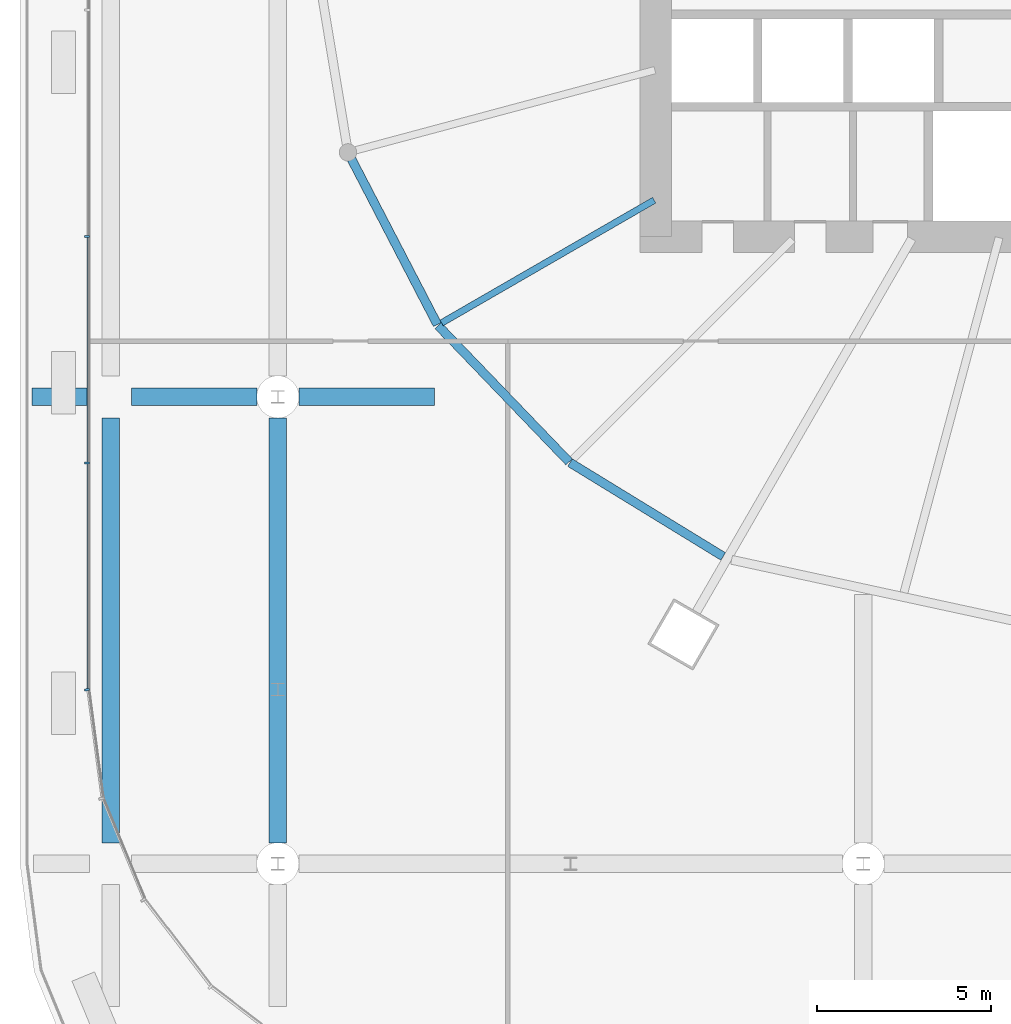
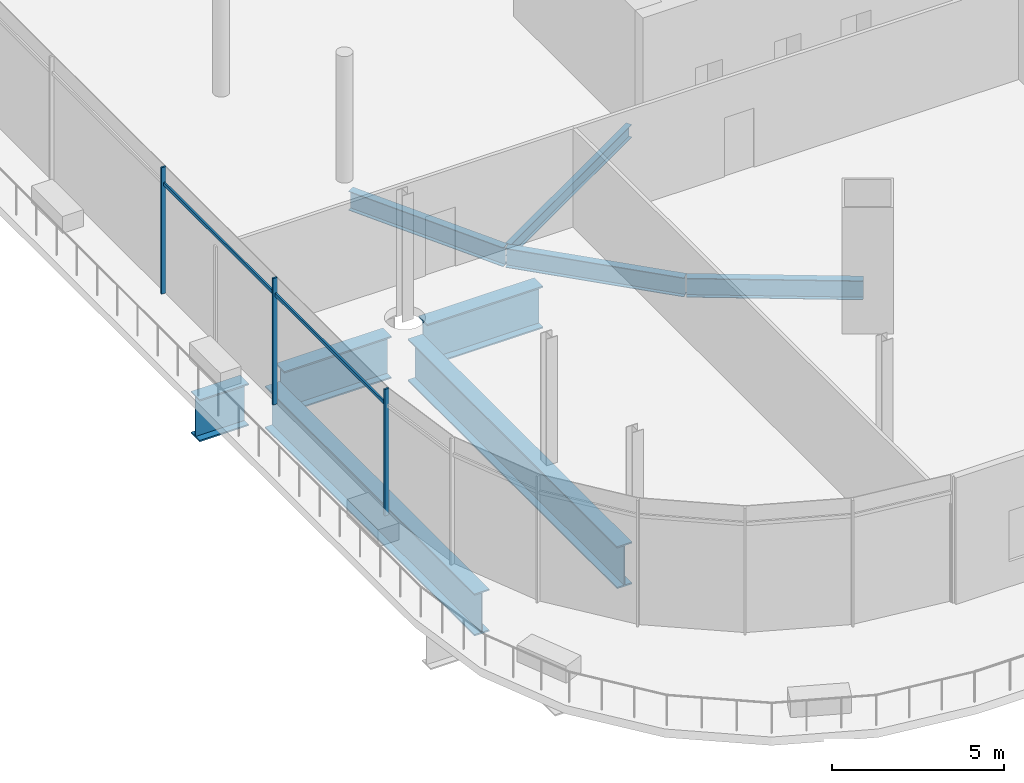
# One storey, part 13 of 56: 9 beams, 5 members, 1 element without a shape of its own.
"""IFC4 building model written with IfcOpenShell, lengths in metres."""

from ifc_helpers import new_model, si_unit, direction, frame, origin, origin_2d, place, context, subcontext, project, spatial, rectangle, i_section, extrude, material, material_profile, profile_set, type_object, element, aggregate, save


model = new_model("IFC4")

# Units and contexts
model_context = context("Model", 3, precision=1e-05, world=origin(), true_north=direction((0.0, 1.0)))
body_context = subcontext(model_context, "Body", "Model", "MODEL_VIEW")
ifc_project = project(units=[si_unit("LENGTHUNIT", "METRE"), si_unit("AREAUNIT", "SQUARE_METRE"), si_unit("VOLUMEUNIT", "CUBIC_METRE"), si_unit("PLANEANGLEUNIT", "RADIAN"), si_unit("MASSUNIT", "GRAM", prefix="KILO")], contexts=[model_context])

# Site, building, storey
site_placement = place(None, origin())
site = spatial("IfcSite", under=ifc_project, at=site_placement, CompositionType="ELEMENT")
building_placement = place(site_placement, origin())
building = spatial("IfcBuilding", under=site, at=building_placement, Name="Rimbun Link Towers", CompositionType="ELEMENT")
storey_placement = place(building_placement, frame((0.0, 0.0, 16.5)))
storey = spatial("IfcBuildingStorey", under=building, at=storey_placement, Name="L03", CompositionType="ELEMENT", Elevation=16.5)

# Curtain wall, members
ifc_material_1 = material(Name="Aluminium 6063-T6 and low-iron glass", Category="aluminium")
curtain_wall_type = type_object("IfcCurtainWallType", Name="CW3 podium shopfront", PredefinedType="NOTDEFINED", material=ifc_material_1)
curtain_wall_placement = place(storey_placement, origin())
curtain_wall = element("IfcCurtainWall", 1, at=curtain_wall_placement, inside=storey, type_object=curtain_wall_type, Name="CW3 L03 PD", PredefinedType="NOTDEFINED")
ifc_material_2 = material(Name="Aluminium 6063-T6", Category="aluminium")
ifc_material_profile_1 = material_profile(ifc_material_2, rectangle(XDim=0.14990234375, YDim=0.06005859375, at=origin_2d()), Name="MULLION 60X150")
ifc_profile_set_1 = profile_set([ifc_material_profile_1], Name="Aluminium 6063-T6")
member_type_1 = type_object("IfcMemberType", Name="CW3 mullion 60X150", PredefinedType="MULLION", material=ifc_profile_set_1)
member_1_placement = place(storey_placement, frame((-60.074951171875, -8.0, 0.0), z_axis=(0.0, 0.0, 1.0), x_axis=(-1.0, 0.0, 0.0)))
member_1 = element("IfcMember", 2, at=member_1_placement, type_object=member_type_1, Name="CW3 mullion", PredefinedType="MULLION", context=body_context, shape_type="SweptSolid", body=[
    extrude(rectangle(XDim=0.14990234375, YDim=0.06005859375, at=origin_2d()), origin(), (0.0, 0.0, 1.0), 4.5),
])
member_2_placement = place(storey_placement, frame((-60.074951171875, -14.5, 0.0), z_axis=(0.0, 0.0, 1.0), x_axis=(-1.0, 0.0, 0.0)))
member_2 = element("IfcMember", 3, at=member_2_placement, type_object=member_type_1, Name="CW3 mullion", PredefinedType="MULLION", context=body_context, shape_type="SweptSolid", body=[
    extrude(rectangle(XDim=0.14990234375, YDim=0.06005859375, at=origin_2d()), origin(), (0.0, 0.0, 1.0), 4.5),
])
member_3_placement = place(storey_placement, frame((-60.074951171875, -21.0048828125, 0.0), z_axis=(0.0, 0.0, 1.0), x_axis=(-0.997858781723, -0.065405288299, 0.0)))
member_3 = element("IfcMember", 4, at=member_3_placement, type_object=member_type_1, Name="CW3 mullion", PredefinedType="MULLION", context=body_context, shape_type="SweptSolid", body=[
    extrude(rectangle(XDim=0.14990234375, YDim=0.06005859375, at=origin_2d()), origin(), (0.0, 0.0, 1.0), 4.5),
])
ifc_material_3 = material(Name="Aluminium 6063-T6", Category="aluminium")
ifc_material_profile_2 = material_profile(ifc_material_3, rectangle(XDim=0.06005859375, YDim=0.1201171875, at=origin_2d()), Name="TRANSOM 60X120")
ifc_profile_set_2 = profile_set([ifc_material_profile_2], Name="Aluminium 6063-T6")
member_type_2 = type_object("IfcMemberType", Name="CW3 transom 60X120", PredefinedType="USERDEFINED", material=ifc_profile_set_2)
member_4_placement = place(storey_placement, frame((-60.053955078125, -14.469970703125, 3.89990234375), z_axis=(0.0, 1.0, 0.0), x_axis=(-1.0, 0.0, 0.0)))
member_4 = element("IfcMember", 5, at=member_4_placement, type_object=member_type_2, Name="CW3 transom", ObjectType="TRANSOM", PredefinedType="USERDEFINED", context=body_context, shape_type="SweptSolid", body=[
    extrude(rectangle(XDim=0.06005859375, YDim=0.1201171875, at=origin_2d()), origin(), (0.0, 0.0, 1.0), 6.43994140625),
])
member_5_placement = place(storey_placement, frame((-60.053955078125, -20.969970703125, 3.89990234375), z_axis=(0.0, 1.0, 0.0), x_axis=(-1.0, 0.0, 0.0)))
member_5 = element("IfcMember", 6, at=member_5_placement, type_object=member_type_2, Name="CW3 transom", ObjectType="TRANSOM", PredefinedType="USERDEFINED", context=body_context, shape_type="SweptSolid", body=[
    extrude(rectangle(XDim=0.06005859375, YDim=0.1201171875, at=origin_2d()), origin(), (0.0, 0.0, 1.0), 6.43994140625),
])
aggregate(curtain_wall, [member_1, member_2, member_3, member_4, member_5])

# Beams
ifc_material_4 = material(Name="Steel S355J2", Category="steel")
ifc_material_profile_3 = material_profile(ifc_material_4, i_section(OverallWidth=0.5, OverallDepth=1.5, WebThickness=0.030029296875, FlangeThickness=0.050048828125, at=origin_2d()), Name="PG 1500x500x30/50")
ifc_profile_set_3 = profile_set([ifc_material_profile_3], Name="Steel S355J2")
beam_type_1 = type_object("IfcBeamType", Name="PG 1500x500x30/50", PredefinedType="BEAM", material=ifc_profile_set_3)
beam_1_placement = place(storey_placement, frame((-61.649169921875, -12.60009765625, -1.050048828125), z_axis=(1.0, 0.0, 0.0), x_axis=(0.0, 1.0, 0.0)))
element("IfcBeam", 7, at=beam_1_placement, inside=storey, type_object=beam_type_1, Name="Grid beam L03 -12.6", PredefinedType="BEAM", context=body_context, shape_type="SweptSolid", body=[
    extrude(i_section(OverallWidth=0.5, OverallDepth=1.5, WebThickness=0.030029296875, FlangeThickness=0.050048828125, at=origin_2d()), origin(), (0.0, 0.0, 1.0), 1.649169921875),
])
beam_2_placement = place(storey_placement, frame((-58.800048828125, -12.60009765625, -1.050048828125), z_axis=(1.0, 0.0, 0.0), x_axis=(0.0, 1.0, 0.0)))
element("IfcBeam", 8, at=beam_2_placement, inside=storey, type_object=beam_type_1, Name="Grid beam L03 -12.6", PredefinedType="BEAM", context=body_context, shape_type="SweptSolid", body=[
    extrude(i_section(OverallWidth=0.5, OverallDepth=1.5, WebThickness=0.030029296875, FlangeThickness=0.050048828125, at=origin_2d()), origin(), (0.0, 0.0, 1.0), 3.60009765625),
])
beam_3_placement = place(storey_placement, frame((-54.0, -12.60009765625, -1.050048828125), z_axis=(1.0, 0.0, 0.0), x_axis=(0.0, 1.0, 0.0)))
element("IfcBeam", 9, at=beam_3_placement, inside=storey, type_object=beam_type_1, Name="Grid beam L03 -12.6", PredefinedType="BEAM", context=body_context, shape_type="SweptSolid", body=[
    extrude(i_section(OverallWidth=0.5, OverallDepth=1.5, WebThickness=0.030029296875, FlangeThickness=0.050048828125, at=origin_2d()), origin(), (0.0, 0.0, 1.0), 3.89990234375),
])
for number, where, z_axis, x_axis, name in (
    (10, (-59.39990234375, -25.39990234375, -1.050048828125), (0.0, 1.0, 0.0), (-1.0, 0.0, 0.0), "Grid beam L03 -59.4"),
    (11, (-54.60009765625, -25.39990234375, -1.050048828125), (0.0, 1.0, 0.0), (-1.0, 0.0, 0.0), "Grid beam L03 -54.6"),
):
    element("IfcBeam", number, at=place(storey_placement, frame(where, z_axis=z_axis, x_axis=x_axis)), inside=storey, type_object=beam_type_1, Name=name, PredefinedType="BEAM", context=body_context, shape_type="SweptSolid", body=[
        extrude(i_section(OverallWidth=0.5, OverallDepth=1.5, WebThickness=0.030029296875, FlangeThickness=0.050048828125, at=origin_2d()), origin(), (0.0, 0.0, 1.0), 12.199951171875),
    ])
ifc_material_5 = material(Name="Steel S355J2", Category="steel")
ifc_material_profile_4 = material_profile(ifc_material_5, i_section(OverallWidth=0.18994140625, OverallDepth=0.453369140625, WebThickness=0.008544921875, FlangeThickness=0.0126953125, at=origin_2d()), Name="UB 457x191x67")
ifc_profile_set_4 = profile_set([ifc_material_profile_4], Name="Steel S355J2")
beam_type_2 = type_object("IfcBeamType", Name="UB 457x191x67", PredefinedType="BEAM", material=ifc_profile_set_4)
beam_4_placement = place(storey_placement, frame((-43.79833984375, -6.9560546875, -0.526611328125), z_axis=(-0.866023453068, -0.500003378725, 0.0), x_axis=(0.500003378725, -0.866023453068, 0.0)))
element("IfcBeam", 12, at=beam_4_placement, inside=storey, type_object=beam_type_2, Name="Radial beam T1 L03 14", PredefinedType="BEAM", context=body_context, shape_type="SweptSolid", body=[
    extrude(i_section(OverallWidth=0.18994140625, OverallDepth=0.453369140625, WebThickness=0.008544921875, FlangeThickness=0.0126953125, at=origin_2d()), origin(), (0.0, 0.0, 1.0), 7.04638671875),
])
ifc_material_6 = material(Name="Steel S355J2", Category="steel")
ifc_material_profile_5 = material_profile(ifc_material_6, i_section(OverallWidth=0.253662109375, OverallDepth=0.68359375, WebThickness=0.012451171875, FlangeThickness=0.01904296875, at=origin_2d()), Name="UB 686x254x140")
ifc_profile_set_5 = profile_set([ifc_material_profile_5], Name="Steel S355J2")
beam_type_3 = type_object("IfcBeamType", Name="UB 686x254x140", PredefinedType="BEAM", material=ifc_profile_set_5)
beam_5_placement = place(storey_placement, frame((-52.485107421875, -5.77880859375, -0.641845703125), z_axis=(0.460708800711, -0.887551351161, 0.0), x_axis=(0.887551351161, 0.460708800711, 0.0)))
element("IfcBeam", 13, at=beam_5_placement, inside=storey, type_object=beam_type_3, Name="Edge beam T1 L03 13", PredefinedType="BEAM", context=body_context, shape_type="SweptSolid", body=[
    extrude(i_section(OverallWidth=0.253662109375, OverallDepth=0.68359375, WebThickness=0.012451171875, FlangeThickness=0.01904296875, at=origin_2d()), origin(), (0.0, 0.0, 1.0), 5.34912109375),
])
beam_6_placement = place(storey_placement, frame((-49.99853515625, -10.557373046875, -0.641845703125), z_axis=(0.692988130851, -0.720948992995, 0.0), x_axis=(0.720948992995, 0.692988130851, 0.0)))
element("IfcBeam", 14, at=beam_6_placement, inside=storey, type_object=beam_type_3, Name="Edge beam T1 L03 14", PredefinedType="BEAM", context=body_context, shape_type="SweptSolid", body=[
    extrude(i_section(OverallWidth=0.253662109375, OverallDepth=0.68359375, WebThickness=0.012451171875, FlangeThickness=0.01904296875, at=origin_2d()), origin(), (0.0, 0.0, 1.0), 5.42236328125),
])
beam_7_placement = place(storey_placement, frame((-46.21435546875, -14.488037109375, -0.641845703125), z_axis=(0.852707458773, -0.522388734328, 0.0), x_axis=(0.522388734328, 0.852707458773, 0.0)))
element("IfcBeam", 15, at=beam_7_placement, inside=storey, type_object=beam_type_3, Name="Edge beam T1 L03 15", PredefinedType="BEAM", context=body_context, shape_type="SweptSolid", body=[
    extrude(i_section(OverallWidth=0.253662109375, OverallDepth=0.68359375, WebThickness=0.012451171875, FlangeThickness=0.01904296875, at=origin_2d()), origin(), (0.0, 0.0, 1.0), 5.153076171875),
])

save(model, "model.ifc")
